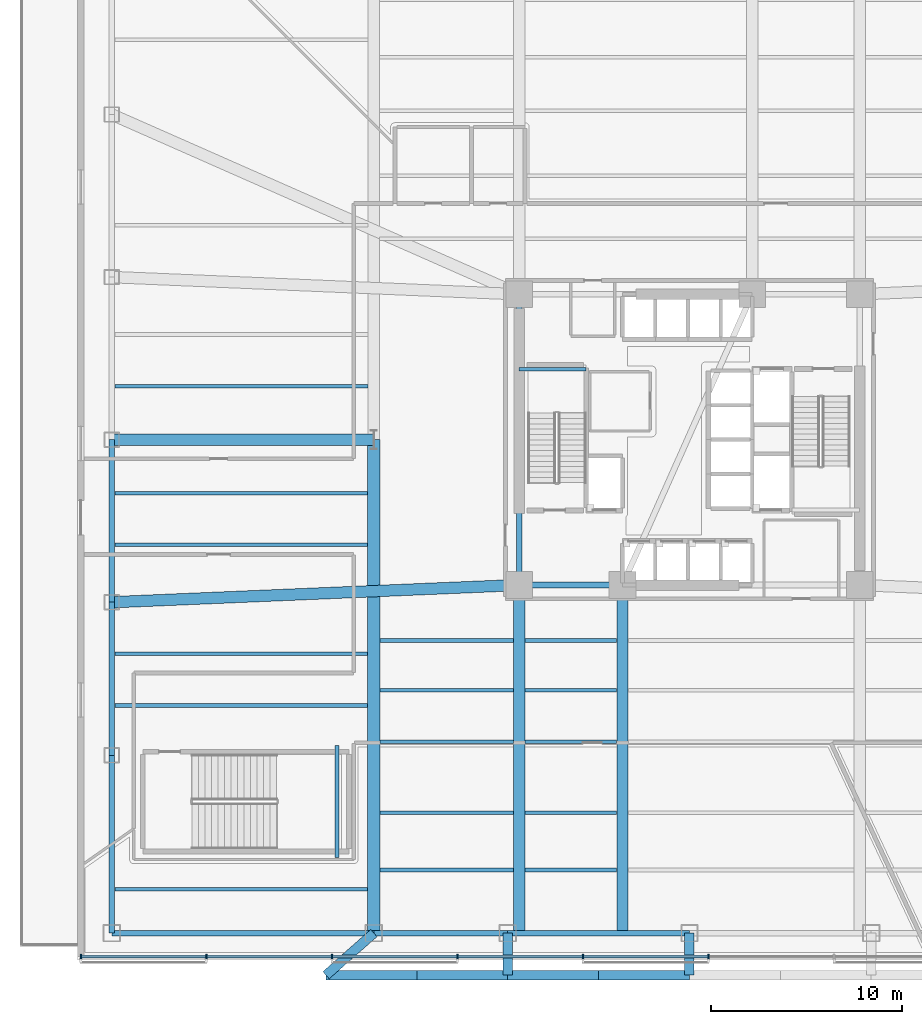
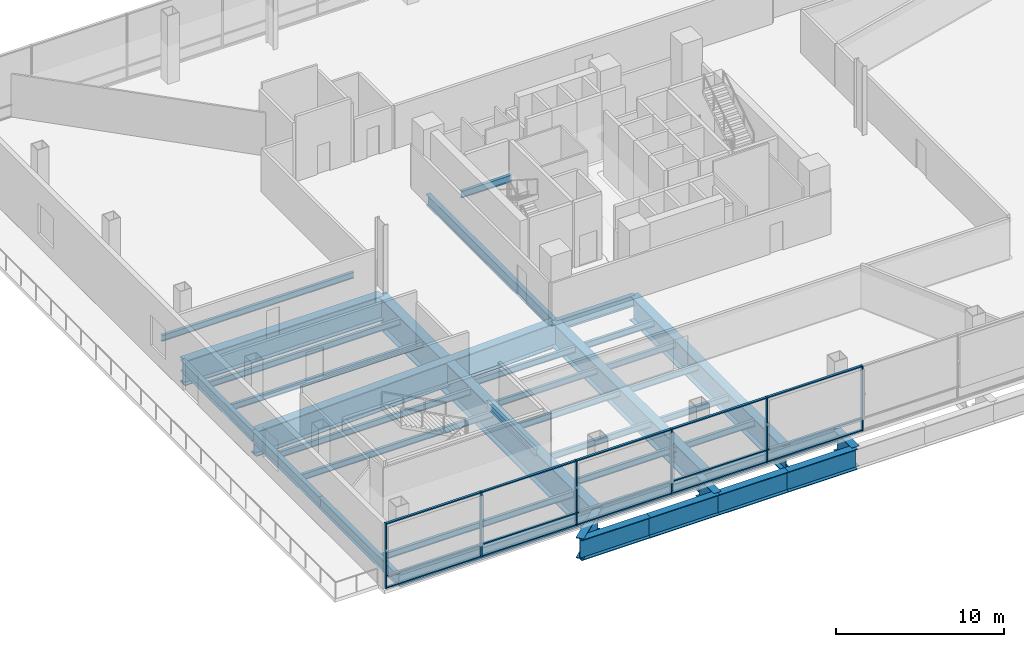
# One storey, part 2 of 20: 38 beams, 21 members, 1 element without a shape of its own.
"""IFC4 building model written with IfcOpenShell, lengths in metres."""

from ifc_helpers import new_model, si_unit, direction, frame, origin, origin_2d, place, context, subcontext, project, spatial, rectangle, i_section, extrude, material, layer, layer_set, material_profile, profile_set, type_object, element, aggregate, save


model = new_model("IFC4")

# Units and contexts
model_context = context("Model", 3, precision=1e-05, world=origin(), true_north=direction((0.0, 1.0)))
body_context = subcontext(model_context, "Body", "Model", "MODEL_VIEW")
ifc_project = project(units=[si_unit("LENGTHUNIT", "METRE"), si_unit("AREAUNIT", "SQUARE_METRE"), si_unit("VOLUMEUNIT", "CUBIC_METRE"), si_unit("PLANEANGLEUNIT", "RADIAN"), si_unit("MASSUNIT", "GRAM", prefix="KILO")], contexts=[model_context])

# Site, building, storey
site_placement = place(None, origin())
site = spatial("IfcSite", under=ifc_project, at=site_placement, CompositionType="ELEMENT")
building_placement = place(site_placement, origin())
building = spatial("IfcBuilding", under=site, at=building_placement, Name="Tharavind Bronze Gate", CompositionType="ELEMENT")
storey_placement = place(building_placement, frame((0.0, 0.0, 16.5)))
storey = spatial("IfcBuildingStorey", under=building, at=storey_placement, Name="L03", CompositionType="ELEMENT", Elevation=16.5)

# Curtain wall, members
ifc_material_1 = material(Name="Anodised Bronze Aluminium", Category="aluminium")
ifc_layer = layer(ifc_material_1, 0.219970703125)
ifc_layer_set = layer_set([ifc_layer], Name="Anodised Bronze Aluminium")
curtain_wall_type = type_object("IfcCurtainWallType", Name="UNITISED CURTAIN WALL PODIUM", PredefinedType="USERDEFINED", material=ifc_layer_set)
curtain_wall_placement = place(storey_placement, origin())
curtain_wall = element("IfcCurtainWall", 1, at=curtain_wall_placement, inside=storey, type_object=curtain_wall_type, Name="L03 unitised curtain wall podium CW-L03-S1", ObjectType="UNITISED CURTAIN WALL", PredefinedType="USERDEFINED")
member_type_1 = type_object("IfcMemberType", Name="CURTAIN WALL MULLION 80X220", PredefinedType="MULLION", material=ifc_material_1)
member_1_placement = place(storey_placement, frame((-31.820068359375, -27.02001953125, 0.0), z_axis=(0.0, 0.0, 1.0), x_axis=(1.0, 0.0, 0.0)))
member_1 = element("IfcMember", 2, at=member_1_placement, type_object=member_type_1, Name="CW-L03-S1 mullion 1", PredefinedType="MULLION", context=body_context, shape_type="SweptSolid", body=[
    extrude(rectangle(XDim=0.080078125, YDim=0.219970703125, at=origin_2d()), origin(), (0.0, 0.0, 1.0), 4.739990234375),
])
member_2_placement = place(storey_placement, frame((-25.256103515625, -27.02001953125, 0.0), z_axis=(0.0, 0.0, 1.0), x_axis=(1.0, 0.0, 0.0)))
member_2 = element("IfcMember", 3, at=member_2_placement, type_object=member_type_1, Name="CW-L03-S1 mullion 2", PredefinedType="MULLION", context=body_context, shape_type="SweptSolid", body=[
    extrude(rectangle(XDim=0.080078125, YDim=0.219970703125, at=origin_2d()), origin(), (0.0, 0.0, 1.0), 4.739990234375),
])
member_3_placement = place(storey_placement, frame((-18.69189453125, -27.02001953125, 0.0), z_axis=(0.0, 0.0, 1.0), x_axis=(1.0, 0.0, 0.0)))
member_3 = element("IfcMember", 4, at=member_3_placement, type_object=member_type_1, Name="CW-L03-S1 mullion 3", PredefinedType="MULLION", context=body_context, shape_type="SweptSolid", body=[
    extrude(rectangle(XDim=0.080078125, YDim=0.219970703125, at=origin_2d()), origin(), (0.0, 0.0, 1.0), 4.739990234375),
])
member_4_placement = place(storey_placement, frame((-12.1279296875, -27.02001953125, 0.0), z_axis=(0.0, 0.0, 1.0), x_axis=(1.0, 0.0, 0.0)))
member_4 = element("IfcMember", 5, at=member_4_placement, type_object=member_type_1, Name="CW-L03-S1 mullion 4", PredefinedType="MULLION", context=body_context, shape_type="SweptSolid", body=[
    extrude(rectangle(XDim=0.080078125, YDim=0.219970703125, at=origin_2d()), origin(), (0.0, 0.0, 1.0), 4.739990234375),
])
member_5_placement = place(storey_placement, frame((-5.56396484375, -27.02001953125, 0.0), z_axis=(0.0, 0.0, 1.0), x_axis=(1.0, 0.0, 0.0)))
member_5 = element("IfcMember", 6, at=member_5_placement, type_object=member_type_1, Name="CW-L03-S1 mullion 5", PredefinedType="MULLION", context=body_context, shape_type="SweptSolid", body=[
    extrude(rectangle(XDim=0.080078125, YDim=0.219970703125, at=origin_2d()), origin(), (0.0, 0.0, 1.0), 4.739990234375),
])
member_6_placement = place(storey_placement, frame((1.0, -27.02001953125, 0.0), z_axis=(0.0, 0.0, 1.0), x_axis=(1.0, 0.0, 0.0)))
member_6 = element("IfcMember", 7, at=member_6_placement, type_object=member_type_1, Name="CW-L03-S1 mullion 6", PredefinedType="MULLION", context=body_context, shape_type="SweptSolid", body=[
    extrude(rectangle(XDim=0.080078125, YDim=0.219970703125, at=origin_2d()), origin(), (0.0, 0.0, 1.0), 4.739990234375),
])
member_type_2 = type_object("IfcMemberType", Name="CURTAIN WALL TRANSOM 80X160", PredefinedType="USERDEFINED", material=ifc_material_1)
member_7_placement = place(storey_placement, frame((-28.5380859375, -27.02001953125, 0.0), z_axis=(0.0, 0.0, 1.0), x_axis=(1.0, 0.0, 0.0)))
member_7 = element("IfcMember", 8, at=member_7_placement, type_object=member_type_2, Name="CW-L03-S1 transom TB1", ObjectType="TRANSOM", PredefinedType="USERDEFINED", context=body_context, shape_type="SweptSolid", body=[
    extrude(rectangle(XDim=6.49609375, YDim=0.159912109375, at=origin_2d()), origin(), (0.0, 0.0, 1.0), 0.080078125),
])
member_8_placement = place(storey_placement, frame((-28.5380859375, -27.02001953125, 0.85986328125), z_axis=(0.0, 0.0, 1.0), x_axis=(1.0, 0.0, 0.0)))
member_8 = element("IfcMember", 9, at=member_8_placement, type_object=member_type_2, Name="CW-L03-S1 transom TS1", ObjectType="TRANSOM", PredefinedType="USERDEFINED", context=body_context, shape_type="SweptSolid", body=[
    extrude(rectangle(XDim=6.49609375, YDim=0.159912109375, at=origin_2d()), origin(), (0.0, 0.0, 1.0), 0.080078125),
])
member_9_placement = place(storey_placement, frame((-28.5380859375, -27.02001953125, 4.659912109375), z_axis=(0.0, 0.0, 1.0), x_axis=(1.0, 0.0, 0.0)))
member_9 = element("IfcMember", 10, at=member_9_placement, type_object=member_type_2, Name="CW-L03-S1 transom TT1", ObjectType="TRANSOM", PredefinedType="USERDEFINED", context=body_context, shape_type="SweptSolid", body=[
    extrude(rectangle(XDim=6.49609375, YDim=0.159912109375, at=origin_2d()), origin(), (0.0, 0.0, 1.0), 0.080078125),
])
member_10_placement = place(storey_placement, frame((-21.97412109375, -27.02001953125, 0.0), z_axis=(0.0, 0.0, 1.0), x_axis=(1.0, 0.0, 0.0)))
member_10 = element("IfcMember", 11, at=member_10_placement, type_object=member_type_2, Name="CW-L03-S1 transom TB2", ObjectType="TRANSOM", PredefinedType="USERDEFINED", context=body_context, shape_type="SweptSolid", body=[
    extrude(rectangle(XDim=6.49609375, YDim=0.159912109375, at=origin_2d()), origin(), (0.0, 0.0, 1.0), 0.080078125),
])
member_11_placement = place(storey_placement, frame((-21.97412109375, -27.02001953125, 0.85986328125), z_axis=(0.0, 0.0, 1.0), x_axis=(1.0, 0.0, 0.0)))
member_11 = element("IfcMember", 12, at=member_11_placement, type_object=member_type_2, Name="CW-L03-S1 transom TS2", ObjectType="TRANSOM", PredefinedType="USERDEFINED", context=body_context, shape_type="SweptSolid", body=[
    extrude(rectangle(XDim=6.49609375, YDim=0.159912109375, at=origin_2d()), origin(), (0.0, 0.0, 1.0), 0.080078125),
])
member_12_placement = place(storey_placement, frame((-21.97412109375, -27.02001953125, 4.659912109375), z_axis=(0.0, 0.0, 1.0), x_axis=(1.0, 0.0, 0.0)))
member_12 = element("IfcMember", 13, at=member_12_placement, type_object=member_type_2, Name="CW-L03-S1 transom TT2", ObjectType="TRANSOM", PredefinedType="USERDEFINED", context=body_context, shape_type="SweptSolid", body=[
    extrude(rectangle(XDim=6.49609375, YDim=0.159912109375, at=origin_2d()), origin(), (0.0, 0.0, 1.0), 0.080078125),
])
member_13_placement = place(storey_placement, frame((-15.409912109375, -27.02001953125, 0.0), z_axis=(0.0, 0.0, 1.0), x_axis=(1.0, 0.0, 0.0)))
member_13 = element("IfcMember", 14, at=member_13_placement, type_object=member_type_2, Name="CW-L03-S1 transom TB3", ObjectType="TRANSOM", PredefinedType="USERDEFINED", context=body_context, shape_type="SweptSolid", body=[
    extrude(rectangle(XDim=6.49609375, YDim=0.159912109375, at=origin_2d()), origin(), (0.0, 0.0, 1.0), 0.080078125),
])
member_14_placement = place(storey_placement, frame((-15.409912109375, -27.02001953125, 0.85986328125), z_axis=(0.0, 0.0, 1.0), x_axis=(1.0, 0.0, 0.0)))
member_14 = element("IfcMember", 15, at=member_14_placement, type_object=member_type_2, Name="CW-L03-S1 transom TS3", ObjectType="TRANSOM", PredefinedType="USERDEFINED", context=body_context, shape_type="SweptSolid", body=[
    extrude(rectangle(XDim=6.49609375, YDim=0.159912109375, at=origin_2d()), origin(), (0.0, 0.0, 1.0), 0.080078125),
])
member_15_placement = place(storey_placement, frame((-15.409912109375, -27.02001953125, 4.659912109375), z_axis=(0.0, 0.0, 1.0), x_axis=(1.0, 0.0, 0.0)))
member_15 = element("IfcMember", 16, at=member_15_placement, type_object=member_type_2, Name="CW-L03-S1 transom TT3", ObjectType="TRANSOM", PredefinedType="USERDEFINED", context=body_context, shape_type="SweptSolid", body=[
    extrude(rectangle(XDim=6.49609375, YDim=0.159912109375, at=origin_2d()), origin(), (0.0, 0.0, 1.0), 0.080078125),
])
member_16_placement = place(storey_placement, frame((-8.845947265625, -27.02001953125, 0.0), z_axis=(0.0, 0.0, 1.0), x_axis=(1.0, 0.0, 0.0)))
member_16 = element("IfcMember", 17, at=member_16_placement, type_object=member_type_2, Name="CW-L03-S1 transom TB4", ObjectType="TRANSOM", PredefinedType="USERDEFINED", context=body_context, shape_type="SweptSolid", body=[
    extrude(rectangle(XDim=6.49609375, YDim=0.159912109375, at=origin_2d()), origin(), (0.0, 0.0, 1.0), 0.080078125),
])
member_17_placement = place(storey_placement, frame((-8.845947265625, -27.02001953125, 0.85986328125), z_axis=(0.0, 0.0, 1.0), x_axis=(1.0, 0.0, 0.0)))
member_17 = element("IfcMember", 18, at=member_17_placement, type_object=member_type_2, Name="CW-L03-S1 transom TS4", ObjectType="TRANSOM", PredefinedType="USERDEFINED", context=body_context, shape_type="SweptSolid", body=[
    extrude(rectangle(XDim=6.49609375, YDim=0.159912109375, at=origin_2d()), origin(), (0.0, 0.0, 1.0), 0.080078125),
])
member_18_placement = place(storey_placement, frame((-8.845947265625, -27.02001953125, 4.659912109375), z_axis=(0.0, 0.0, 1.0), x_axis=(1.0, 0.0, 0.0)))
member_18 = element("IfcMember", 19, at=member_18_placement, type_object=member_type_2, Name="CW-L03-S1 transom TT4", ObjectType="TRANSOM", PredefinedType="USERDEFINED", context=body_context, shape_type="SweptSolid", body=[
    extrude(rectangle(XDim=6.49609375, YDim=0.159912109375, at=origin_2d()), origin(), (0.0, 0.0, 1.0), 0.080078125),
])
member_19_placement = place(storey_placement, frame((-2.281982421875, -27.02001953125, 0.0), z_axis=(0.0, 0.0, 1.0), x_axis=(1.0, 0.0, 0.0)))
member_19 = element("IfcMember", 20, at=member_19_placement, type_object=member_type_2, Name="CW-L03-S1 transom TB5", ObjectType="TRANSOM", PredefinedType="USERDEFINED", context=body_context, shape_type="SweptSolid", body=[
    extrude(rectangle(XDim=6.49609375, YDim=0.159912109375, at=origin_2d()), origin(), (0.0, 0.0, 1.0), 0.080078125),
])
member_20_placement = place(storey_placement, frame((-2.281982421875, -27.02001953125, 0.85986328125), z_axis=(0.0, 0.0, 1.0), x_axis=(1.0, 0.0, 0.0)))
member_20 = element("IfcMember", 21, at=member_20_placement, type_object=member_type_2, Name="CW-L03-S1 transom TS5", ObjectType="TRANSOM", PredefinedType="USERDEFINED", context=body_context, shape_type="SweptSolid", body=[
    extrude(rectangle(XDim=6.49609375, YDim=0.159912109375, at=origin_2d()), origin(), (0.0, 0.0, 1.0), 0.080078125),
])
member_21_placement = place(storey_placement, frame((-2.281982421875, -27.02001953125, 4.659912109375), z_axis=(0.0, 0.0, 1.0), x_axis=(1.0, 0.0, 0.0)))
member_21 = element("IfcMember", 22, at=member_21_placement, type_object=member_type_2, Name="CW-L03-S1 transom TT5", ObjectType="TRANSOM", PredefinedType="USERDEFINED", context=body_context, shape_type="SweptSolid", body=[
    extrude(rectangle(XDim=6.49609375, YDim=0.159912109375, at=origin_2d()), origin(), (0.0, 0.0, 1.0), 0.080078125),
])
aggregate(curtain_wall, [member_1, member_2, member_3, member_4, member_5, member_6, member_7, member_8, member_9, member_10, member_11, member_12, member_13, member_14, member_15, member_16, member_17, member_18, member_19, member_20, member_21])

# Beams
ifc_material_2 = material(Name="Steel S355", Category="steel")
ifc_material_profile_1 = material_profile(ifc_material_2, i_section(OverallWidth=0.199951171875, OverallDepth=0.5, WebThickness=0.01025390625, FlangeThickness=0.01611328125, at=origin_2d()), Name="IPE500")
ifc_profile_set_1 = profile_set([ifc_material_profile_1], Name="Steel S355")
beam_type_1 = type_object("IfcBeamType", Name="PRIMARY GIRDER IPE500", PredefinedType="USERDEFINED", material=ifc_profile_set_1)
beam_1_placement = place(storey_placement, frame((-8.89990234375, 3.679931640625, 2.050048828125), z_axis=(1.0, 0.0, 0.0), x_axis=(0.0, 1.0, 0.0)))
element("IfcBeam", 23, at=beam_1_placement, inside=storey, type_object=beam_type_1, Name="L03 primary girder ipe500 BM-LD-ST1-L03-1", ObjectType="GIRDER", PredefinedType="USERDEFINED", context=body_context, shape_type="SweptSolid", body=[
    extrude(i_section(OverallWidth=0.199951171875, OverallDepth=0.5, WebThickness=0.01025390625, FlangeThickness=0.01611328125, at=origin_2d()), origin(), (0.0, 0.0, 1.0), 3.5),
])
beam_2_placement = place(storey_placement, frame((-18.419921875, -21.85009765625, 2.050048828125), z_axis=(0.0, 1.0, 0.0), x_axis=(-1.0, 0.0, 0.0)))
element("IfcBeam", 24, at=beam_2_placement, inside=storey, type_object=beam_type_1, Name="L03 primary girder ipe500 BM-LD-ST3-L03-1", ObjectType="GIRDER", PredefinedType="USERDEFINED", context=body_context, shape_type="SweptSolid", body=[
    extrude(i_section(OverallWidth=0.199951171875, OverallDepth=0.5, WebThickness=0.01025390625, FlangeThickness=0.01611328125, at=origin_2d()), origin(), (0.0, 0.0, 1.0), 5.85009765625),
])
ifc_material_profile_2 = material_profile(ifc_material_2, i_section(OverallWidth=0.300048828125, OverallDepth=0.800048828125, WebThickness=0.017578125, FlangeThickness=0.032958984375, at=origin_2d()), Name="HE800B")
ifc_profile_set_2 = profile_set([ifc_material_profile_2], Name="Steel S355")
beam_type_2 = type_object("IfcBeamType", Name="RING GIRDER HE800B", PredefinedType="USERDEFINED", material=ifc_profile_set_2)
beam_3_placement = place(storey_placement, frame((-8.89990234375, -7.60009765625, -0.659912109375), z_axis=(1.0, 0.0, 0.0), x_axis=(0.0, 1.0, 0.0)))
element("IfcBeam", 25, at=beam_3_placement, inside=storey, type_object=beam_type_2, Name="L03 ring girder he800b BM-L03-CR1", ObjectType="GIRDER", PredefinedType="USERDEFINED", context=body_context, shape_type="SweptSolid", body=[
    extrude(i_section(OverallWidth=0.300048828125, OverallDepth=0.800048828125, WebThickness=0.017578125, FlangeThickness=0.032958984375, at=origin_2d()), origin(), (0.0, 0.0, 1.0), 5.39990234375),
])
beam_4_placement = place(storey_placement, frame((-8.89990234375, 7.60009765625, -0.659912109375), z_axis=(0.0, -1.0, 0.0), x_axis=(1.0, 0.0, 0.0)))
element("IfcBeam", 26, at=beam_4_placement, inside=storey, type_object=beam_type_2, Name="L03 ring girder he800b BM-L03-CR6", ObjectType="GIRDER", PredefinedType="USERDEFINED", context=body_context, shape_type="SweptSolid", body=[
    extrude(i_section(OverallWidth=0.300048828125, OverallDepth=0.800048828125, WebThickness=0.017578125, FlangeThickness=0.032958984375, at=origin_2d()), origin(), (0.0, 0.0, 1.0), 15.2001953125),
])
beam_5_placement = place(storey_placement, frame((-30.199951171875, -25.800048828125, -0.659912109375), z_axis=(0.0, 1.0, 0.0), x_axis=(-1.0, 0.0, 0.0)))
element("IfcBeam", 27, at=beam_5_placement, inside=storey, type_object=beam_type_2, Name="L03 ring girder he800b BM-L03-PW1", ObjectType="GIRDER", PredefinedType="USERDEFINED", context=body_context, shape_type="SweptSolid", body=[
    extrude(i_section(OverallWidth=0.300048828125, OverallDepth=0.800048828125, WebThickness=0.017578125, FlangeThickness=0.032958984375, at=origin_2d()), origin(), (0.0, 0.0, 1.0), 9.300048828125),
])
beam_6_placement = place(storey_placement, frame((-30.199951171875, -16.5, -0.659912109375), z_axis=(0.0, 1.0, 0.0), x_axis=(-1.0, 0.0, 0.0)))
element("IfcBeam", 28, at=beam_6_placement, inside=storey, type_object=beam_type_2, Name="L03 ring girder he800b BM-L03-PW2", ObjectType="GIRDER", PredefinedType="USERDEFINED", context=body_context, shape_type="SweptSolid", body=[
    extrude(i_section(OverallWidth=0.300048828125, OverallDepth=0.800048828125, WebThickness=0.017578125, FlangeThickness=0.032958984375, at=origin_2d()), origin(), (0.0, 0.0, 1.0), 8.0),
])
beam_7_placement = place(storey_placement, frame((-30.199951171875, -8.5, -0.659912109375), z_axis=(0.0, 1.0, 0.0), x_axis=(-1.0, 0.0, 0.0)))
element("IfcBeam", 29, at=beam_7_placement, inside=storey, type_object=beam_type_2, Name="L03 ring girder he800b BM-L03-PW3", ObjectType="GIRDER", PredefinedType="USERDEFINED", context=body_context, shape_type="SweptSolid", body=[
    extrude(i_section(OverallWidth=0.300048828125, OverallDepth=0.800048828125, WebThickness=0.017578125, FlangeThickness=0.032958984375, at=origin_2d()), origin(), (0.0, 0.0, 1.0), 8.5),
])
ifc_material_profile_3 = material_profile(ifc_material_2, i_section(OverallWidth=0.18994140625, OverallDepth=0.449951171875, WebThickness=0.009521484375, FlangeThickness=0.0146484375, at=origin_2d()), Name="IPE450")
ifc_profile_set_3 = profile_set([ifc_material_profile_3], Name="Steel S355")
beam_type_3 = type_object("IfcBeamType", Name="SECONDARY FLOOR JOIST IPE450", PredefinedType="JOIST", material=ifc_profile_set_3)
beam_8_placement = place(storey_placement, frame((-8.597900390625, -22.5, -0.485107421875), z_axis=(1.0, 0.0, 0.0), x_axis=(0.0, 1.0, 0.0)))
element("IfcBeam", 30, at=beam_8_placement, inside=storey, type_object=beam_type_3, Name="L03 secondary floor joist ipe450 BM-L03-JSS1A", PredefinedType="JOIST", context=body_context, shape_type="SweptSolid", body=[
    extrude(i_section(OverallWidth=0.18994140625, OverallDepth=0.449951171875, WebThickness=0.009521484375, FlangeThickness=0.0146484375, at=origin_2d()), origin(), (0.0, 0.0, 1.0), 4.7958984375),
])
beam_9_placement = place(storey_placement, frame((-16.173095703125, -22.5, -0.485107421875), z_axis=(1.0, 0.0, 0.0), x_axis=(0.0, 1.0, 0.0)))
element("IfcBeam", 31, at=beam_9_placement, inside=storey, type_object=beam_type_3, Name="L03 secondary floor joist ipe450 BM-L03-JSS1W", PredefinedType="JOIST", context=body_context, shape_type="SweptSolid", body=[
    extrude(i_section(OverallWidth=0.18994140625, OverallDepth=0.449951171875, WebThickness=0.009521484375, FlangeThickness=0.0146484375, at=origin_2d()), origin(), (0.0, 0.0, 1.0), 6.97119140625),
])
beam_10_placement = place(storey_placement, frame((-8.597900390625, -19.5, -0.485107421875), z_axis=(1.0, 0.0, 0.0), x_axis=(0.0, 1.0, 0.0)))
element("IfcBeam", 32, at=beam_10_placement, inside=storey, type_object=beam_type_3, Name="L03 secondary floor joist ipe450 BM-L03-JSS2A", PredefinedType="JOIST", context=body_context, shape_type="SweptSolid", body=[
    extrude(i_section(OverallWidth=0.18994140625, OverallDepth=0.449951171875, WebThickness=0.009521484375, FlangeThickness=0.0146484375, at=origin_2d()), origin(), (0.0, 0.0, 1.0), 4.7958984375),
])
beam_11_placement = place(storey_placement, frame((-16.173095703125, -19.5, -0.485107421875), z_axis=(1.0, 0.0, 0.0), x_axis=(0.0, 1.0, 0.0)))
element("IfcBeam", 33, at=beam_11_placement, inside=storey, type_object=beam_type_3, Name="L03 secondary floor joist ipe450 BM-L03-JSS2W", PredefinedType="JOIST", context=body_context, shape_type="SweptSolid", body=[
    extrude(i_section(OverallWidth=0.18994140625, OverallDepth=0.449951171875, WebThickness=0.009521484375, FlangeThickness=0.0146484375, at=origin_2d()), origin(), (0.0, 0.0, 1.0), 6.97119140625),
])
beam_12_placement = place(storey_placement, frame((-8.597900390625, -15.800048828125, -0.485107421875), z_axis=(1.0, 0.0, 0.0), x_axis=(0.0, 1.0, 0.0)))
element("IfcBeam", 34, at=beam_12_placement, inside=storey, type_object=beam_type_3, Name="L03 secondary floor joist ipe450 BM-L03-JSS3A", PredefinedType="JOIST", context=body_context, shape_type="SweptSolid", body=[
    extrude(i_section(OverallWidth=0.18994140625, OverallDepth=0.449951171875, WebThickness=0.009521484375, FlangeThickness=0.0146484375, at=origin_2d()), origin(), (0.0, 0.0, 1.0), 4.7958984375),
])
beam_13_placement = place(storey_placement, frame((-16.173095703125, -15.800048828125, -0.485107421875), z_axis=(1.0, 0.0, 0.0), x_axis=(0.0, 1.0, 0.0)))
element("IfcBeam", 35, at=beam_13_placement, inside=storey, type_object=beam_type_3, Name="L03 secondary floor joist ipe450 BM-L03-JSS3W", PredefinedType="JOIST", context=body_context, shape_type="SweptSolid", body=[
    extrude(i_section(OverallWidth=0.18994140625, OverallDepth=0.449951171875, WebThickness=0.009521484375, FlangeThickness=0.0146484375, at=origin_2d()), origin(), (0.0, 0.0, 1.0), 6.97119140625),
])
beam_14_placement = place(storey_placement, frame((-8.597900390625, -13.10009765625, -0.485107421875), z_axis=(1.0, 0.0, 0.0), x_axis=(0.0, 1.0, 0.0)))
element("IfcBeam", 36, at=beam_14_placement, inside=storey, type_object=beam_type_3, Name="L03 secondary floor joist ipe450 BM-L03-JSS4A", PredefinedType="JOIST", context=body_context, shape_type="SweptSolid", body=[
    extrude(i_section(OverallWidth=0.18994140625, OverallDepth=0.449951171875, WebThickness=0.009521484375, FlangeThickness=0.0146484375, at=origin_2d()), origin(), (0.0, 0.0, 1.0), 4.7958984375),
])
beam_15_placement = place(storey_placement, frame((-16.173095703125, -13.10009765625, -0.485107421875), z_axis=(1.0, 0.0, 0.0), x_axis=(0.0, 1.0, 0.0)))
element("IfcBeam", 37, at=beam_15_placement, inside=storey, type_object=beam_type_3, Name="L03 secondary floor joist ipe450 BM-L03-JSS4W", PredefinedType="JOIST", context=body_context, shape_type="SweptSolid", body=[
    extrude(i_section(OverallWidth=0.18994140625, OverallDepth=0.449951171875, WebThickness=0.009521484375, FlangeThickness=0.0146484375, at=origin_2d()), origin(), (0.0, 0.0, 1.0), 6.97119140625),
])
beam_16_placement = place(storey_placement, frame((-8.597900390625, -10.5, -0.485107421875), z_axis=(1.0, 0.0, 0.0), x_axis=(0.0, 1.0, 0.0)))
element("IfcBeam", 38, at=beam_16_placement, inside=storey, type_object=beam_type_3, Name="L03 secondary floor joist ipe450 BM-L03-JSS5A", PredefinedType="JOIST", context=body_context, shape_type="SweptSolid", body=[
    extrude(i_section(OverallWidth=0.18994140625, OverallDepth=0.449951171875, WebThickness=0.009521484375, FlangeThickness=0.0146484375, at=origin_2d()), origin(), (0.0, 0.0, 1.0), 4.7958984375),
])
beam_17_placement = place(storey_placement, frame((-16.173095703125, -10.5, -0.485107421875), z_axis=(1.0, 0.0, 0.0), x_axis=(0.0, 1.0, 0.0)))
element("IfcBeam", 39, at=beam_17_placement, inside=storey, type_object=beam_type_3, Name="L03 secondary floor joist ipe450 BM-L03-JSS5W", PredefinedType="JOIST", context=body_context, shape_type="SweptSolid", body=[
    extrude(i_section(OverallWidth=0.18994140625, OverallDepth=0.449951171875, WebThickness=0.009521484375, FlangeThickness=0.0146484375, at=origin_2d()), origin(), (0.0, 0.0, 1.0), 6.97119140625),
])
for number, where, z_axis, x_axis, name in (
    (40, (-30.0400390625, -23.5, -0.485107421875), (1.0, 0.0, 0.0), (0.0, 1.0, 0.0), "L03 secondary floor joist ipe450 BM-L03-JSWW1"),
    (41, (-30.0400390625, -13.89990234375, -0.485107421875), (1.0, 0.0, 0.0), (0.0, 1.0, 0.0), "L03 secondary floor joist ipe450 BM-L03-JSWW2"),
    (42, (-30.0400390625, -11.199951171875, -0.485107421875), (1.0, 0.0, 0.0), (0.0, 1.0, 0.0), "L03 secondary floor joist ipe450 BM-L03-JSWW3"),
    (43, (-30.0400390625, -5.5, -0.485107421875), (1.0, 0.0, 0.0), (0.0, 1.0, 0.0), "L03 secondary floor joist ipe450 BM-L03-JSWW4"),
    (44, (-30.0400390625, -2.800048828125, -0.485107421875), (1.0, 0.0, 0.0), (0.0, 1.0, 0.0), "L03 secondary floor joist ipe450 BM-L03-JSWW5"),
):
    element("IfcBeam", number, at=place(storey_placement, frame(where, z_axis=z_axis, x_axis=x_axis)), inside=storey, type_object=beam_type_3, Name=name, PredefinedType="JOIST", context=body_context, shape_type="SweptSolid", body=[
        extrude(i_section(OverallWidth=0.18994140625, OverallDepth=0.449951171875, WebThickness=0.009521484375, FlangeThickness=0.0146484375, at=origin_2d()), origin(), (0.0, 0.0, 1.0), 13.213134765625),
    ])
beam_18_placement = place(storey_placement, frame((-30.0400390625, 2.800048828125, -0.485107421875), z_axis=(1.0, 0.0, 0.0), x_axis=(0.0, 1.0, 0.0)))
element("IfcBeam", 45, at=beam_18_placement, inside=storey, type_object=beam_type_3, Name="L03 secondary floor joist ipe450 BM-L03-JSWW6", PredefinedType="JOIST", context=body_context, shape_type="SweptSolid", body=[
    extrude(i_section(OverallWidth=0.18994140625, OverallDepth=0.449951171875, WebThickness=0.009521484375, FlangeThickness=0.0146484375, at=origin_2d()), origin(), (0.0, 0.0, 1.0), 13.238037109375),
])
ifc_material_profile_4 = material_profile(ifc_material_2, i_section(OverallWidth=0.300048828125, OverallDepth=0.89990234375, WebThickness=0.0185546875, FlangeThickness=0.034912109375, at=origin_2d()), Name="HE900B")
ifc_profile_set_4 = profile_set([ifc_material_profile_4], Name="Steel S355")
beam_type_4 = type_object("IfcBeamType", Name="SPANDREL RING BEAM HE900B", PredefinedType="SPANDREL", material=ifc_profile_set_4)
beam_19_placement = place(storey_placement, frame((-30.199951171875, -25.800048828125, -0.7099609375), z_axis=(1.0, 0.0, 0.0), x_axis=(0.0, 1.0, 0.0)))
element("IfcBeam", 46, at=beam_19_placement, inside=storey, type_object=beam_type_4, Name="L03 spandrel ring beam he900b BM-L03-PS1", PredefinedType="SPANDREL", context=body_context, shape_type="SweptSolid", body=[
    extrude(i_section(OverallWidth=0.300048828125, OverallDepth=0.89990234375, WebThickness=0.0185546875, FlangeThickness=0.034912109375, at=origin_2d()), origin(), (0.0, 0.0, 1.0), 13.699951171875),
])
beam_20_placement = place(storey_placement, frame((-16.5, -25.800048828125, -0.7099609375), z_axis=(1.0, 0.0, 0.0), x_axis=(0.0, 1.0, 0.0)))
element("IfcBeam", 47, at=beam_20_placement, inside=storey, type_object=beam_type_4, Name="L03 spandrel ring beam he900b BM-L03-PS2", PredefinedType="SPANDREL", context=body_context, shape_type="SweptSolid", body=[
    extrude(i_section(OverallWidth=0.300048828125, OverallDepth=0.89990234375, WebThickness=0.0185546875, FlangeThickness=0.034912109375, at=origin_2d()), origin(), (0.0, 0.0, 1.0), 7.0),
])
beam_21_placement = place(storey_placement, frame((-9.5, -25.800048828125, -0.7099609375), z_axis=(1.0, 0.0, 0.0), x_axis=(0.0, 1.0, 0.0)))
element("IfcBeam", 48, at=beam_21_placement, inside=storey, type_object=beam_type_4, Name="L03 spandrel ring beam he900b BM-L03-PS3", PredefinedType="SPANDREL", context=body_context, shape_type="SweptSolid", body=[
    extrude(i_section(OverallWidth=0.300048828125, OverallDepth=0.89990234375, WebThickness=0.0185546875, FlangeThickness=0.034912109375, at=origin_2d()), origin(), (0.0, 0.0, 1.0), 9.5),
])
ifc_material_3 = material(Name="Steel S460", Category="steel")
ifc_material_profile_5 = material_profile(ifc_material_3, i_section(OverallWidth=0.5, OverallDepth=1.5, WebThickness=0.028076171875, FlangeThickness=0.050048828125, at=origin_2d()), Name="PG1500X500")
ifc_profile_set_5 = profile_set([ifc_material_profile_5], Name="Steel S460")
beam_type_5 = type_object("IfcBeamType", Name="TRANSFER GIRDER 1500X500", PredefinedType="USERDEFINED", material=ifc_profile_set_5)
for number, where, z_axis, x_axis, name in (
    (49, (-19.0, -28.0, -1.010009765625), (1.0, 0.0, 0.0), (0.0, 1.0, 0.0), "L03 transfer girder 1500x500 BM-L03-ARCHHD-1"),
    (50, (-14.25, -28.0, -1.010009765625), (1.0, 0.0, 0.0), (0.0, 1.0, 0.0), "L03 transfer girder 1500x500 BM-L03-ARCHHD-2"),
    (51, (-9.5, -28.0, -1.010009765625), (1.0, 0.0, 0.0), (0.0, 1.0, 0.0), "L03 transfer girder 1500x500 BM-L03-ARCHHD-3"),
    (52, (-4.75, -28.0, -1.010009765625), (1.0, 0.0, 0.0), (0.0, 1.0, 0.0), "L03 transfer girder 1500x500 BM-L03-ARCHHD-4"),
):
    element("IfcBeam", number, at=place(storey_placement, frame(where, z_axis=z_axis, x_axis=x_axis)), inside=storey, type_object=beam_type_5, Name=name, ObjectType="TRANSFER GIRDER", PredefinedType="USERDEFINED", context=body_context, shape_type="SweptSolid", body=[
        extrude(i_section(OverallWidth=0.5, OverallDepth=1.5, WebThickness=0.028076171875, FlangeThickness=0.050048828125, at=origin_2d()), origin(), (0.0, 0.0, 1.0), 4.75),
    ])
beam_22_placement = place(storey_placement, frame((-19.0, -28.0, -1.010009765625), z_axis=(0.750720788639, 0.660619631487, 0.0), x_axis=(-0.660619631487, 0.750720788639, 0.0)))
element("IfcBeam", 53, at=beam_22_placement, inside=storey, type_object=beam_type_5, Name="L03 transfer girder 1500x500 BM-L03-ARCHT1", ObjectType="TRANSFER GIRDER", PredefinedType="USERDEFINED", context=body_context, shape_type="SweptSolid", body=[
    extrude(i_section(OverallWidth=0.5, OverallDepth=1.5, WebThickness=0.028076171875, FlangeThickness=0.050048828125, at=origin_2d()), origin(), (0.0, 0.0, 1.0), 3.330078125),
])
for number, where, z_axis, x_axis, name in (
    (54, (-9.5, -28.0, -1.010009765625), (0.0, 1.0, 0.0), (-1.0, 0.0, 0.0), "L03 transfer girder 1500x500 BM-L03-ARCHT2"),
    (55, (0.0, -28.0, -1.010009765625), (0.0, 1.0, 0.0), (-1.0, 0.0, 0.0), "L03 transfer girder 1500x500 BM-L03-ARCHT3"),
):
    element("IfcBeam", number, at=place(storey_placement, frame(where, z_axis=z_axis, x_axis=x_axis)), inside=storey, type_object=beam_type_5, Name=name, ObjectType="TRANSFER GIRDER", PredefinedType="USERDEFINED", context=body_context, shape_type="SweptSolid", body=[
        extrude(i_section(OverallWidth=0.5, OverallDepth=1.5, WebThickness=0.028076171875, FlangeThickness=0.050048828125, at=origin_2d()), origin(), (0.0, 0.0, 1.0), 2.199951171875),
    ])
ifc_material_profile_6 = material_profile(ifc_material_3, i_section(OverallWidth=0.60009765625, OverallDepth=1.800048828125, WebThickness=0.031982421875, FlangeThickness=0.054931640625, at=origin_2d()), Name="PG1800X600")
ifc_profile_set_6 = profile_set([ifc_material_profile_6], Name="Steel S460")
beam_type_6 = type_object("IfcBeamType", Name="TRANSFER GIRDER 1800X600", PredefinedType="USERDEFINED", material=ifc_profile_set_6)
for number, where, z_axis, x_axis, name in (
    (56, (-8.89990234375, -25.800048828125, -1.159912109375), (0.0, 1.0, 0.0), (-1.0, 0.0, 0.0), "L03 transfer girder 1800x600 BM-L03-GS2"),
    (57, (-3.5, -25.800048828125, -1.159912109375), (0.0, 1.0, 0.0), (-1.0, 0.0, 0.0), "L03 transfer girder 1800x600 BM-L03-GS3"),
):
    element("IfcBeam", number, at=place(storey_placement, frame(where, z_axis=z_axis, x_axis=x_axis)), inside=storey, type_object=beam_type_6, Name=name, ObjectType="TRANSFER GIRDER", PredefinedType="USERDEFINED", context=body_context, shape_type="SweptSolid", body=[
        extrude(i_section(OverallWidth=0.60009765625, OverallDepth=1.800048828125, WebThickness=0.031982421875, FlangeThickness=0.054931640625, at=origin_2d()), origin(), (0.0, 0.0, 1.0), 18.199951171875),
    ])
beam_23_placement = place(storey_placement, frame((-30.199951171875, -8.5, -1.159912109375), z_axis=(0.999108710794, 0.04221118354, 0.0), x_axis=(-0.04221118354, 0.999108710794, 0.0)))
element("IfcBeam", 58, at=beam_23_placement, inside=storey, type_object=beam_type_6, Name="L03 transfer girder 1800x600 BM-L03-GW1", ObjectType="TRANSFER GIRDER", PredefinedType="USERDEFINED", context=body_context, shape_type="SweptSolid", body=[
    extrude(i_section(OverallWidth=0.60009765625, OverallDepth=1.800048828125, WebThickness=0.031982421875, FlangeThickness=0.054931640625, at=origin_2d()), origin(), (0.0, 0.0, 1.0), 21.319091796875),
])
beam_24_placement = place(storey_placement, frame((-30.199951171875, 0.0, -1.159912109375), z_axis=(1.0, 0.0, 0.0), x_axis=(0.0, 1.0, 0.0)))
element("IfcBeam", 59, at=beam_24_placement, inside=storey, type_object=beam_type_6, Name="L03 transfer girder 1800x600 BM-L03-GW3", ObjectType="TRANSFER GIRDER", PredefinedType="USERDEFINED", context=body_context, shape_type="SweptSolid", body=[
    extrude(i_section(OverallWidth=0.60009765625, OverallDepth=1.800048828125, WebThickness=0.031982421875, FlangeThickness=0.054931640625, at=origin_2d()), origin(), (0.0, 0.0, 1.0), 13.699951171875),
])
ifc_material_profile_7 = material_profile(ifc_material_3, i_section(OverallWidth=0.64990234375, OverallDepth=2.300048828125, WebThickness=0.035888671875, FlangeThickness=0.05810546875, at=origin_2d()), Name="PG2300X650")
ifc_profile_set_7 = profile_set([ifc_material_profile_7], Name="Steel S460")
beam_type_7 = type_object("IfcBeamType", Name="TRANSFER GIRDER 2300X650", PredefinedType="USERDEFINED", material=ifc_profile_set_7)
beam_25_placement = place(storey_placement, frame((-16.5, -25.800048828125, -1.409912109375), z_axis=(0.0, 1.0, 0.0), x_axis=(-1.0, 0.0, 0.0)))
element("IfcBeam", 60, at=beam_25_placement, inside=storey, type_object=beam_type_7, Name="L03 transfer girder 2300x650 BM-L03-GS1S", ObjectType="TRANSFER GIRDER", PredefinedType="USERDEFINED", context=body_context, shape_type="SweptSolid", body=[
    extrude(i_section(OverallWidth=0.64990234375, OverallDepth=2.300048828125, WebThickness=0.035888671875, FlangeThickness=0.05810546875, at=origin_2d()), origin(), (0.0, 0.0, 1.0), 25.800048828125),
])

save(model, "model.ifc")
